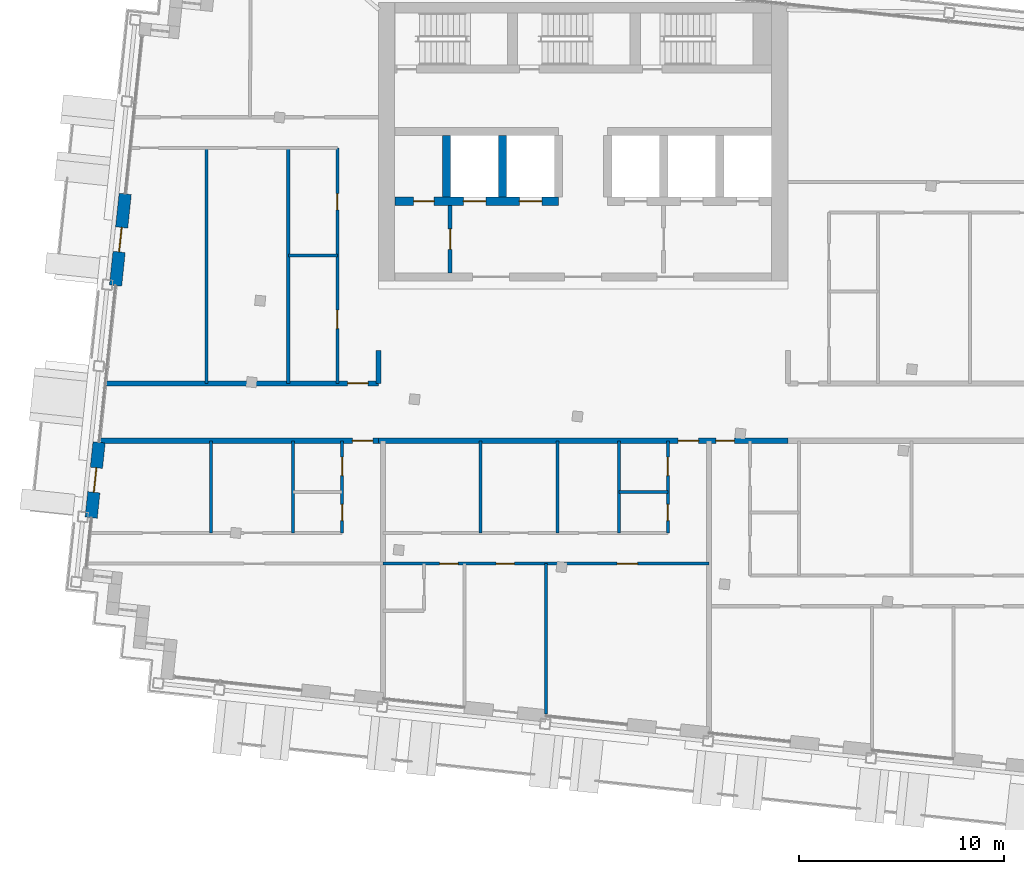
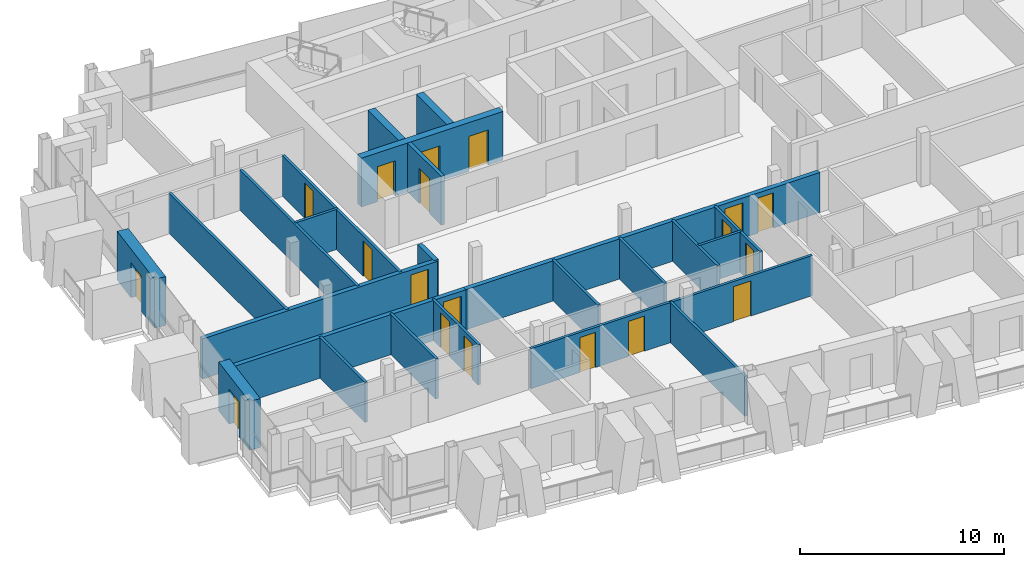
# One storey, part 9 of 16: 24 walls, 19 doors, 19 openings.
"""IFC4 building model written with IfcOpenShell, lengths in metres."""

from ifc_helpers import new_model, si_unit, direction, frame, frame_2d, origin, place, context, subcontext, project, spatial, rectangle, extrude, material, layer, layer_set, type_object, element, fill, save


model = new_model("IFC4")

# Units and contexts
model_context = context("Model", 3, precision=1e-05, world=origin(), true_north=direction((0.0, 1.0)))
body_context = subcontext(model_context, "Body", "Model", "MODEL_VIEW")
ifc_project = project(units=[si_unit("LENGTHUNIT", "METRE"), si_unit("AREAUNIT", "SQUARE_METRE"), si_unit("VOLUMEUNIT", "CUBIC_METRE"), si_unit("PLANEANGLEUNIT", "RADIAN"), si_unit("MASSUNIT", "GRAM", prefix="KILO")], contexts=[model_context])

# Site, building, storey
site_placement = place(None, origin())
site = spatial("IfcSite", under=ifc_project, at=site_placement, CompositionType="ELEMENT")
building_placement = place(site_placement, origin())
building = spatial("IfcBuilding", under=site, at=building_placement, Name="Vidyagriha Tower", CompositionType="ELEMENT")
storey_placement = place(building_placement, frame((0.0, 0.0, 275.5)))
storey = spatial("IfcBuildingStorey", under=building, at=storey_placement, Name="L72", CompositionType="ELEMENT", Elevation=275.5)

# Wall, opening, door
ifc_material_1 = material(Name="Precast concrete C40/50 with brick facing", Category="concrete")
ifc_layer_1 = layer(ifc_material_1, 0.60009765625)
ifc_layer_set_1 = layer_set([ifc_layer_1], Name="Precast concrete C40/50 with brick facing")
wall_type_1 = type_object("IfcWallType", Name="Brick-faced precast wall 600", PredefinedType="STANDARD", material=ifc_layer_set_1)
wall_1_placement = place(storey_placement, frame((-22.36279296875, 10.65673828125, 0.0), z_axis=(0.0, 0.0, 1.0), x_axis=(-0.104492739125, -0.994525649478, 0.0)))
wall_1 = element("IfcWall", 1, at=wall_1_placement, inside=storey, type_object=wall_type_1, Name="Brick door bay wall L72 R14.3", PredefinedType="STANDARD", context=body_context, shape_type="SweptSolid", body=[
    extrude(rectangle(XDim=4.5, YDim=0.60009765625, at=frame_2d((2.25, 0.0))), origin(), (0.0, 0.0, 1.0), 2.919921875),
])
opening_1_placement = place(wall_1_placement, frame((1.64990234375, 0.0, 0.0)))
opening_1 = element("IfcOpeningElement", 2, at=opening_1_placement, cuts=wall_1, Name="Opening D72-52", PredefinedType="OPENING", context=body_context, shape_type="SweptSolid", body=[
    extrude(rectangle(XDim=1.199951171875, YDim=2.10009765625, at=frame_2d((0.60009765625, 1.050048828125))), frame((0.0, 0.31005859375, 0.0), z_axis=(0.0, -1.0, 0.0), x_axis=(1.0, 0.0, 0.0)), (0.0, 0.0, 1.0), 0.6201171875),
])
ifc_material_2 = material(Name="Aluminium framed glazed sliding door", Category="aluminium")
door_type_1 = type_object("IfcDoorType", Name="Balcony sliding door 1200x2100", OperationType="NOTDEFINED", PredefinedType="DOOR", material=ifc_material_2)
door_1_placement = place(opening_1_placement, origin())
door_1 = element("IfcDoor", 3, at=door_1_placement, inside=storey, type_object=door_type_1, Name="Door D72-52", OperationType="SLIDING_TO_LEFT", OverallHeight=2.10009765625, OverallWidth=1.199951171875, PredefinedType="DOOR", context=body_context, shape_type="SweptSolid", body=[
    extrude(rectangle(XDim=1.199951171875, YDim=2.10009765625, at=frame_2d((0.60009765625, 1.050048828125))), frame((0.0, 0.02490234375, 0.0), z_axis=(0.0, -1.0, 0.0), x_axis=(1.0, 0.0, 0.0)), (0.0, 0.0, 1.0), 0.050048828125),
])
fill(opening_1, door_1)

wall_2_placement = place(storey_placement, frame((-23.637939453125, -1.476318359375, 0.0), z_axis=(0.0, 0.0, 1.0), x_axis=(-0.104513052986, -0.994523514933, 0.0)))
wall_2 = element("IfcWall", 4, at=wall_2_placement, inside=storey, type_object=wall_type_1, Name="Brick door bay wall L72 R14.6", PredefinedType="STANDARD", context=body_context, shape_type="SweptSolid", body=[
    extrude(rectangle(XDim=3.7001953125, YDim=0.60009765625, at=frame_2d((1.85009765625, 0.0))), origin(), (0.0, 0.0, 1.0), 2.919921875),
])
opening_2_placement = place(wall_2_placement, frame((1.25, 0.0, 0.0)))
opening_2 = element("IfcOpeningElement", 5, at=opening_2_placement, cuts=wall_2, Name="Opening D72-53", PredefinedType="OPENING", context=body_context, shape_type="SweptSolid", body=[
    extrude(rectangle(XDim=1.199951171875, YDim=2.10009765625, at=frame_2d((0.60009765625, 1.050048828125))), frame((0.0, 0.31005859375, 0.0), z_axis=(0.0, -1.0, 0.0), x_axis=(1.0, 0.0, 0.0)), (0.0, 0.0, 1.0), 0.6201171875),
])
door_2_placement = place(opening_2_placement, origin())
door_2 = element("IfcDoor", 6, at=door_2_placement, inside=storey, type_object=door_type_1, Name="Door D72-53", OperationType="SLIDING_TO_LEFT", OverallHeight=2.10009765625, OverallWidth=1.199951171875, PredefinedType="DOOR", context=body_context, shape_type="SweptSolid", body=[
    extrude(rectangle(XDim=1.199951171875, YDim=2.10009765625, at=frame_2d((0.60009765625, 1.050048828125))), frame((0.0, 0.02490234375, 0.0), z_axis=(0.0, -1.0, 0.0), x_axis=(1.0, 0.0, 0.0)), (0.0, 0.0, 1.0), 0.050048828125),
])
fill(opening_2, door_2)

# Wall, openings, doors
ifc_material_3 = material(Name="Concrete C60/75", Category="concrete")
ifc_layer_2 = layer(ifc_material_3, 0.39990234375)
ifc_layer_set_2 = layer_set([ifc_layer_2], Name="Concrete C60/75")
wall_type_2 = type_object("IfcWallType", Name="Core shear wall 400 mm", PredefinedType="SHEAR", material=ifc_layer_set_2)
wall_3_placement = place(storey_placement, frame((-9.199951171875, 10.300048828125, 0.0)))
wall_3 = element("IfcWall", 7, at=wall_3_placement, inside=storey, type_object=wall_type_2, Name="Core row N front wall", PredefinedType="SHEAR", context=body_context, shape_type="SweptSolid", body=[
    extrude(rectangle(XDim=8.0, YDim=0.39990234375, at=frame_2d((4.0, 0.0))), origin(), (0.0, 0.0, 1.0), 2.919921875),
])
opening_3_placement = place(wall_3_placement, frame((3.35009765625, 0.0, 0.0)))
opening_3 = element("IfcOpeningElement", 8, at=opening_3_placement, cuts=wall_3, Name="Opening LD72-01", PredefinedType="OPENING", context=body_context, shape_type="SweptSolid", body=[
    extrude(rectangle(XDim=1.10009765625, YDim=2.10009765625, at=frame_2d((0.550048828125, 1.050048828125))), frame((0.0, 0.2099609375, 0.0), z_axis=(0.0, -1.0, 0.0), x_axis=(1.0, 0.0, 0.0)), (0.0, 0.0, 1.0), 0.419921875),
])
opening_4_placement = place(wall_3_placement, frame((6.083251953125, 0.0, 0.0)))
opening_4 = element("IfcOpeningElement", 9, at=opening_4_placement, cuts=wall_3, Name="Opening LD72-02", PredefinedType="OPENING", context=body_context, shape_type="SweptSolid", body=[
    extrude(rectangle(XDim=1.10009765625, YDim=2.10009765625, at=frame_2d((0.550048828125, 1.050048828125))), frame((0.0, 0.2099609375, 0.0), z_axis=(0.0, -1.0, 0.0), x_axis=(1.0, 0.0, 0.0)), (0.0, 0.0, 1.0), 0.419921875),
])
opening_5_placement = place(wall_3_placement, frame((0.916748046875, 0.0, 0.0)))
opening_5 = element("IfcOpeningElement", 10, at=opening_5_placement, cuts=wall_3, Name="Opening D72-04", PredefinedType="OPENING", context=body_context, shape_type="SweptSolid", body=[
    extrude(rectangle(XDim=1.0, YDim=2.10009765625, at=frame_2d((0.5, 1.050048828125))), frame((0.0, 0.2099609375, 0.0), z_axis=(0.0, -1.0, 0.0), x_axis=(1.0, 0.0, 0.0)), (0.0, 0.0, 1.0), 0.419921875),
])
ifc_material_4 = material(Name="Hollow metal door leaf")
door_type_2 = type_object("IfcDoorType", Name="Core room door 1000 x 2100 mm EI 60", OperationType="NOTDEFINED", PredefinedType="DOOR", material=ifc_material_4)
door_3_placement = place(opening_5_placement, frame((1.0, 0.0, 0.0), z_axis=(0.0, 0.0, 1.0), x_axis=(-1.0, 0.0, 0.0)))
door_3 = element("IfcDoor", 11, at=door_3_placement, inside=storey, type_object=door_type_2, Name="Door Storage Room 72.14", OperationType="SINGLE_SWING_RIGHT", OverallHeight=2.10009765625, OverallWidth=1.0, PredefinedType="DOOR", context=body_context, shape_type="SweptSolid", body=[
    extrude(rectangle(XDim=1.0, YDim=2.10009765625, at=frame_2d((0.5, 1.050048828125))), frame((0.0, 0.02490234375, 0.0), z_axis=(0.0, -1.0, 0.0), x_axis=(1.0, 0.0, 0.0)), (0.0, 0.0, 1.0), 0.050048828125),
])
fill(opening_5, door_3)
ifc_material_5 = material(Name="Stainless steel sliding door panel", Category="steel")
door_type_3 = type_object("IfcDoorType", Name="Lift landing door 1100 x 2100 mm EI 90", OperationType="NOTDEFINED", PredefinedType="DOOR", material=ifc_material_5)
door_4_placement = place(opening_3_placement, origin())
door_4 = element("IfcDoor", 12, at=door_4_placement, inside=storey, type_object=door_type_3, Name="Landing door HR1 L72", OperationType="SLIDING_TO_LEFT", OverallHeight=2.10009765625, OverallWidth=1.10009765625, PredefinedType="DOOR", context=body_context, shape_type="SweptSolid", body=[
    extrude(rectangle(XDim=1.10009765625, YDim=2.10009765625, at=frame_2d((0.550048828125, 1.050048828125))), frame((0.0, 0.02490234375, 0.0), z_axis=(0.0, -1.0, 0.0), x_axis=(1.0, 0.0, 0.0)), (0.0, 0.0, 1.0), 0.050048828125),
])
fill(opening_3, door_4)
door_5_placement = place(opening_4_placement, origin())
door_5 = element("IfcDoor", 13, at=door_5_placement, inside=storey, type_object=door_type_3, Name="Landing door HR2 L72", OperationType="SLIDING_TO_LEFT", OverallHeight=2.10009765625, OverallWidth=1.10009765625, PredefinedType="DOOR", context=body_context, shape_type="SweptSolid", body=[
    extrude(rectangle(XDim=1.10009765625, YDim=2.10009765625, at=frame_2d((0.550048828125, 1.050048828125))), frame((0.0, 0.02490234375, 0.0), z_axis=(0.0, -1.0, 0.0), x_axis=(1.0, 0.0, 0.0)), (0.0, 0.0, 1.0), 0.050048828125),
])
fill(opening_4, door_5)

# Walls
for number, where, z_axis, x_axis, name in (
    (14, (-6.666748046875, 10.5, 0.0), (0.0, 0.0, 1.0), (0.0, 1.0, 0.0), "Core bay wall N1"),
    (15, (-3.933349609375, 10.5, 0.0), (0.0, 0.0, 1.0), (0.0, 1.0, 0.0), "Core bay wall N2"),
):
    element("IfcWall", number, at=place(storey_placement, frame(where, z_axis=z_axis, x_axis=x_axis)), inside=storey, type_object=wall_type_2, Name=name, PredefinedType="SHEAR", context=body_context, shape_type="SweptSolid", body=[
        extrude(rectangle(XDim=3.0, YDim=0.39990234375, at=frame_2d((1.5, 0.0))), origin(), (0.0, 0.0, 1.0), 2.919921875),
    ])

# Wall, opening, door
ifc_material_6 = material(Name="Fired clay brick masonry", Category="masonry")
ifc_layer_3 = layer(ifc_material_6, 0.25)
ifc_layer_set_3 = layer_set([ifc_layer_3], Name="Fired clay brick masonry")
wall_type_3 = type_object("IfcWallType", Name="Fired clay brick corridor wall 250", PredefinedType="PARTITIONING", material=ifc_layer_set_3)
wall_4_placement = place(storey_placement, frame((-10.0, -1.39990234375, 0.0), z_axis=(0.0, 0.0, 1.0), x_axis=(-1.0, 0.0, 0.0)))
wall_4 = element("IfcWall", 16, at=wall_4_placement, inside=storey, type_object=wall_type_3, Name="Wall all-L72-w056", PredefinedType="PARTITIONING", context=body_context, shape_type="SweptSolid", body=[
    extrude(rectangle(XDim=13.5595703125, YDim=0.25, at=frame_2d((6.77978515625, 0.0))), origin(), (0.0, 0.0, 1.0), 2.39990234375),
])
opening_6_placement = place(wall_4_placement, frame((0.27001953125, 0.0, 0.0)))
opening_6 = element("IfcOpeningElement", 17, at=opening_6_placement, cuts=wall_4, Name="Opening D72-15", PredefinedType="OPENING", context=body_context, shape_type="SweptSolid", body=[
    extrude(rectangle(XDim=1.0, YDim=2.10009765625, at=frame_2d((0.5, 1.050048828125))), frame((0.0, 0.135009765625, 0.0), z_axis=(0.0, -1.0, 0.0), x_axis=(1.0, 0.0, 0.0)), (0.0, 0.0, 1.0), 0.27001953125),
])
ifc_material_7 = material(Name="Fire-rated timber door leaf EI 60", Category="wood")
door_type_4 = type_object("IfcDoorType", Name="Flat entrance fire door 1000x2100", OperationType="NOTDEFINED", PredefinedType="DOOR", material=ifc_material_7)
door_6_placement = place(opening_6_placement, origin())
door_6 = element("IfcDoor", 18, at=door_6_placement, inside=storey, type_object=door_type_4, Name="Door D72-15", OperationType="SINGLE_SWING_LEFT", OverallHeight=2.10009765625, OverallWidth=1.0, PredefinedType="DOOR", context=body_context, shape_type="SweptSolid", body=[
    extrude(rectangle(XDim=1.0, YDim=2.10009765625, at=frame_2d((0.5, 1.050048828125))), frame((0.0, 0.02490234375, 0.0), z_axis=(0.0, -1.0, 0.0), x_axis=(1.0, 0.0, 0.0)), (0.0, 0.0, 1.0), 0.050048828125),
])
fill(opening_6, door_6)

wall_5_placement = place(storey_placement, frame((-23.26513671875, 1.39990234375, 0.0)))
wall_5 = element("IfcWall", 19, at=wall_5_placement, inside=storey, type_object=wall_type_3, Name="Wall all-L72-w073", PredefinedType="PARTITIONING", context=body_context, shape_type="SweptSolid", body=[
    extrude(rectangle(XDim=13.26513671875, YDim=0.25, at=frame_2d((6.632568359375, 0.0))), origin(), (0.0, 0.0, 1.0), 2.39990234375),
])
opening_7_placement = place(wall_5_placement, frame((11.76513671875, 0.0, 0.0)))
opening_7 = element("IfcOpeningElement", 20, at=opening_7_placement, cuts=wall_5, Name="Opening D72-42", PredefinedType="OPENING", context=body_context, shape_type="SweptSolid", body=[
    extrude(rectangle(XDim=1.0, YDim=2.10009765625, at=frame_2d((0.5, 1.050048828125))), frame((0.0, 0.135009765625, 0.0), z_axis=(0.0, -1.0, 0.0), x_axis=(1.0, 0.0, 0.0)), (0.0, 0.0, 1.0), 0.27001953125),
])
door_7_placement = place(opening_7_placement, origin())
door_7 = element("IfcDoor", 21, at=door_7_placement, inside=storey, type_object=door_type_4, Name="Door D72-42", OperationType="SINGLE_SWING_RIGHT", OverallHeight=2.10009765625, OverallWidth=1.0, PredefinedType="DOOR", context=body_context, shape_type="SweptSolid", body=[
    extrude(rectangle(XDim=1.0, YDim=2.10009765625, at=frame_2d((0.5, 1.050048828125))), frame((0.0, 0.02490234375, 0.0), z_axis=(0.0, -1.0, 0.0), x_axis=(1.0, 0.0, 0.0)), (0.0, 0.0, 1.0), 0.050048828125),
])
fill(opening_7, door_7)

# Wall, openings, doors
wall_6_placement = place(storey_placement, frame((10.0, -1.39990234375, 0.0), z_axis=(0.0, 0.0, 1.0), x_axis=(-1.0, 0.0, 0.0)))
wall_6 = element("IfcWall", 22, at=wall_6_placement, inside=storey, type_object=wall_type_3, Name="Wall all-L72-w094", PredefinedType="PARTITIONING", context=body_context, shape_type="SweptSolid", body=[
    extrude(rectangle(XDim=20.0, YDim=0.25, at=frame_2d((10.0, 0.0))), origin(), (0.0, 0.0, 1.0), 2.39990234375),
])
opening_8_placement = place(wall_6_placement, frame((4.35791015625, 0.0, 0.0)))
opening_8 = element("IfcOpeningElement", 23, at=opening_8_placement, cuts=wall_6, Name="Opening D72-25", PredefinedType="OPENING", context=body_context, shape_type="SweptSolid", body=[
    extrude(rectangle(XDim=1.0, YDim=2.10009765625, at=frame_2d((0.5, 1.050048828125))), frame((0.0, 0.135009765625, 0.0), z_axis=(0.0, -1.0, 0.0), x_axis=(1.0, 0.0, 0.0)), (0.0, 0.0, 1.0), 0.27001953125),
])
opening_9_placement = place(wall_6_placement, frame((2.614013671875, 0.0, 0.0)))
opening_9 = element("IfcOpeningElement", 24, at=opening_9_placement, cuts=wall_6, Name="Opening D72-35", PredefinedType="OPENING", context=body_context, shape_type="SweptSolid", body=[
    extrude(rectangle(XDim=0.89990234375, YDim=2.10009765625, at=frame_2d((0.449951171875, 1.050048828125))), frame((0.0, 0.135009765625, 0.0), z_axis=(0.0, -1.0, 0.0), x_axis=(1.0, 0.0, 0.0)), (0.0, 0.0, 1.0), 0.27001953125),
])
door_8_placement = place(opening_8_placement, origin())
door_8 = element("IfcDoor", 25, at=door_8_placement, inside=storey, type_object=door_type_4, Name="Door D72-25", OperationType="SINGLE_SWING_LEFT", OverallHeight=2.10009765625, OverallWidth=1.0, PredefinedType="DOOR", context=body_context, shape_type="SweptSolid", body=[
    extrude(rectangle(XDim=1.0, YDim=2.10009765625, at=frame_2d((0.5, 1.050048828125))), frame((0.0, 0.02490234375, 0.0), z_axis=(0.0, -1.0, 0.0), x_axis=(1.0, 0.0, 0.0)), (0.0, 0.0, 1.0), 0.050048828125),
])
fill(opening_8, door_8)
ifc_material_8 = material(Name="Fire-rated timber door leaf EI 60", Category="wood")
door_type_5 = type_object("IfcDoorType", Name="Flat entrance fire door 900x2100", OperationType="NOTDEFINED", PredefinedType="DOOR", material=ifc_material_8)
door_9_placement = place(opening_9_placement, origin())
door_9 = element("IfcDoor", 26, at=door_9_placement, inside=storey, type_object=door_type_5, Name="Door D72-35", OperationType="SINGLE_SWING_RIGHT", OverallHeight=2.10009765625, OverallWidth=0.89990234375, PredefinedType="DOOR", context=body_context, shape_type="SweptSolid", body=[
    extrude(rectangle(XDim=0.89990234375, YDim=2.10009765625, at=frame_2d((0.449951171875, 1.050048828125))), frame((0.0, 0.02490234375, 0.0), z_axis=(0.0, -1.0, 0.0), x_axis=(1.0, 0.0, 0.0)), (0.0, 0.0, 1.0), 0.050048828125),
])
fill(opening_9, door_9)

# Walls
wall_7_placement = place(storey_placement, frame((-10.0, 3.0, 0.0), z_axis=(0.0, 0.0, 1.0), x_axis=(0.0, -1.0, 0.0)))
element("IfcWall", 27, at=wall_7_placement, inside=storey, type_object=wall_type_3, Name="Wall all-L72-w095", PredefinedType="PARTITIONING", context=body_context, shape_type="SweptSolid", body=[
    extrude(rectangle(XDim=1.60009765625, YDim=0.25, at=frame_2d((0.800048828125, 0.0))), origin(), (0.0, 0.0, 1.0), 2.39990234375),
])
ifc_material_9 = material(Name="Gypsum board partition")
ifc_layer_4 = layer(ifc_material_9, 0.14990234375)
ifc_layer_set_4 = layer_set([ifc_layer_4], Name="Gypsum board partition")
wall_type_4 = type_object("IfcWallType", Name="Gypsum board partition 150", PredefinedType="PARTITIONING", material=ifc_layer_set_4)
for number, where, z_axis, x_axis, name in (
    (28, (-14.169921875, -5.89990234375, 0.0), (0.0, 0.0, 1.0), (0.0, 1.0, 0.0), "Wall all-L72-w005"),
    (29, (-18.169921875, -5.89990234375, 0.0), (0.0, 0.0, 1.0), (0.0, 1.0, 0.0), "Wall all-L72-w006"),
):
    element("IfcWall", number, at=place(storey_placement, frame(where, z_axis=z_axis, x_axis=x_axis)), inside=storey, type_object=wall_type_4, Name=name, PredefinedType="PARTITIONING", context=body_context, shape_type="SweptSolid", body=[
        extrude(rectangle(XDim=4.5, YDim=0.14990234375, at=frame_2d((2.25, 0.0))), origin(), (0.0, 0.0, 1.0), 2.39990234375),
    ])
wall_8_placement = place(storey_placement, frame((4.14208984375, -3.89990234375, 0.0), z_axis=(0.0, 0.0, 1.0), x_axis=(-1.0, 0.0, 0.0)))
element("IfcWall", 30, at=wall_8_placement, inside=storey, type_object=wall_type_4, Name="Wall all-L72-w016", PredefinedType="PARTITIONING", context=body_context, shape_type="SweptSolid", body=[
    extrude(rectangle(XDim=2.400146484375, YDim=0.14990234375, at=frame_2d((1.2001953125, 0.0))), origin(), (0.0, 0.0, 1.0), 2.39990234375),
])
for number, where, z_axis, x_axis, name in (
    (31, (1.741943359375, -5.89990234375, 0.0), (0.0, 0.0, 1.0), (0.0, 1.0, 0.0), "Wall all-L72-w017"),
    (32, (-1.258056640625, -5.89990234375, 0.0), (0.0, 0.0, 1.0), (0.0, 1.0, 0.0), "Wall all-L72-w018"),
    (33, (-5.008056640625, -5.89990234375, 0.0), (0.0, 0.0, 1.0), (0.0, 1.0, 0.0), "Wall all-L72-w019"),
):
    element("IfcWall", number, at=place(storey_placement, frame(where, z_axis=z_axis, x_axis=x_axis)), inside=storey, type_object=wall_type_4, Name=name, PredefinedType="PARTITIONING", context=body_context, shape_type="SweptSolid", body=[
        extrude(rectangle(XDim=4.5, YDim=0.14990234375, at=frame_2d((2.25, 0.0))), origin(), (0.0, 0.0, 1.0), 2.39990234375),
    ])

# Wall, openings, doors
wall_9_placement = place(storey_placement, frame((6.14208984375, -7.39990234375, 0.0), z_axis=(0.0, 0.0, 1.0), x_axis=(-1.0, 0.0, 0.0)))
wall_9 = element("IfcWall", 34, at=wall_9_placement, inside=storey, type_object=wall_type_4, Name="Wall all-L72-w024", PredefinedType="PARTITIONING", context=body_context, shape_type="SweptSolid", body=[
    extrude(rectangle(XDim=15.912109375, YDim=0.14990234375, at=frame_2d((7.9560546875, 0.0))), origin(), (0.0, 0.0, 1.0), 2.39990234375),
])
opening_10_placement = place(wall_9_placement, frame((12.251953125, 0.0, 0.0)))
opening_10 = element("IfcOpeningElement", 35, at=opening_10_placement, cuts=wall_9, Name="Opening D72-21", PredefinedType="OPENING", context=body_context, shape_type="SweptSolid", body=[
    extrude(rectangle(XDim=0.89990234375, YDim=2.10009765625, at=frame_2d((0.449951171875, 1.050048828125))), frame((0.0, 0.0849609375, 0.0), z_axis=(0.0, -1.0, 0.0), x_axis=(1.0, 0.0, 0.0)), (0.0, 0.0, 1.0), 0.169921875),
])
opening_11_placement = place(wall_9_placement, frame((9.495361328125, 0.0, 0.0)))
opening_11 = element("IfcOpeningElement", 36, at=opening_11_placement, cuts=wall_9, Name="Opening D72-22", PredefinedType="OPENING", context=body_context, shape_type="SweptSolid", body=[
    extrude(rectangle(XDim=0.89990234375, YDim=2.10009765625, at=frame_2d((0.449951171875, 1.050048828125))), frame((0.0, 0.0849609375, 0.0), z_axis=(0.0, -1.0, 0.0), x_axis=(1.0, 0.0, 0.0)), (0.0, 0.0, 1.0), 0.169921875),
])
opening_12_placement = place(wall_9_placement, frame((3.478271484375, 0.0, 0.0)))
opening_12 = element("IfcOpeningElement", 37, at=opening_12_placement, cuts=wall_9, Name="Opening D72-23", PredefinedType="OPENING", context=body_context, shape_type="SweptSolid", body=[
    extrude(rectangle(XDim=1.0, YDim=2.10009765625, at=frame_2d((0.5, 1.050048828125))), frame((0.0, 0.0849609375, 0.0), z_axis=(0.0, -1.0, 0.0), x_axis=(1.0, 0.0, 0.0)), (0.0, 0.0, 1.0), 0.169921875),
])
ifc_material_10 = material(Name="Timber door leaf", Category="wood")
door_type_6 = type_object("IfcDoorType", Name="Room door 1000x2100", OperationType="NOTDEFINED", PredefinedType="DOOR", material=ifc_material_10)
door_10_placement = place(opening_12_placement, origin())
door_10 = element("IfcDoor", 38, at=door_10_placement, inside=storey, type_object=door_type_6, Name="Door D72-23", OperationType="SINGLE_SWING_RIGHT", OverallHeight=2.10009765625, OverallWidth=1.0, PredefinedType="DOOR", context=body_context, shape_type="SweptSolid", body=[
    extrude(rectangle(XDim=1.0, YDim=2.10009765625, at=frame_2d((0.5, 1.050048828125))), frame((0.0, 0.02490234375, 0.0), z_axis=(0.0, -1.0, 0.0), x_axis=(1.0, 0.0, 0.0)), (0.0, 0.0, 1.0), 0.050048828125),
])
fill(opening_12, door_10)
ifc_material_11 = material(Name="Timber door leaf", Category="wood")
door_type_7 = type_object("IfcDoorType", Name="Room door 900x2100", OperationType="NOTDEFINED", PredefinedType="DOOR", material=ifc_material_11)
door_11_placement = place(opening_10_placement, origin())
door_11 = element("IfcDoor", 39, at=door_11_placement, inside=storey, type_object=door_type_7, Name="Door D72-21", OperationType="SINGLE_SWING_LEFT", OverallHeight=2.10009765625, OverallWidth=0.89990234375, PredefinedType="DOOR", context=body_context, shape_type="SweptSolid", body=[
    extrude(rectangle(XDim=0.89990234375, YDim=2.10009765625, at=frame_2d((0.449951171875, 1.050048828125))), frame((0.0, 0.02490234375, 0.0), z_axis=(0.0, -1.0, 0.0), x_axis=(1.0, 0.0, 0.0)), (0.0, 0.0, 1.0), 0.050048828125),
])
fill(opening_10, door_11)
door_12_placement = place(opening_11_placement, origin())
door_12 = element("IfcDoor", 40, at=door_12_placement, inside=storey, type_object=door_type_7, Name="Door D72-22", OperationType="SINGLE_SWING_RIGHT", OverallHeight=2.10009765625, OverallWidth=0.89990234375, PredefinedType="DOOR", context=body_context, shape_type="SweptSolid", body=[
    extrude(rectangle(XDim=0.89990234375, YDim=2.10009765625, at=frame_2d((0.449951171875, 1.050048828125))), frame((0.0, 0.02490234375, 0.0), z_axis=(0.0, -1.0, 0.0), x_axis=(1.0, 0.0, 0.0)), (0.0, 0.0, 1.0), 0.050048828125),
])
fill(opening_11, door_12)

# Walls
wall_10_placement = place(storey_placement, frame((-1.814208984375, -7.39990234375, 0.0), z_axis=(0.0, 0.0, 1.0), x_axis=(0.0, -1.0, 0.0)))
element("IfcWall", 41, at=wall_10_placement, inside=storey, type_object=wall_type_4, Name="Wall all-L72-w029", PredefinedType="PARTITIONING", context=body_context, shape_type="SweptSolid", body=[
    extrude(rectangle(XDim=7.340576171875, YDim=0.14990234375, at=frame_2d((3.67041015625, 0.0))), origin(), (0.0, 0.0, 1.0), 2.39990234375),
])
wall_11_placement = place(storey_placement, frame((-14.39990234375, 7.64990234375, 0.0)))
element("IfcWall", 42, at=wall_11_placement, inside=storey, type_object=wall_type_4, Name="Wall all-L72-w062", PredefinedType="PARTITIONING", context=body_context, shape_type="SweptSolid", body=[
    extrude(rectangle(XDim=2.39990234375, YDim=0.14990234375, at=frame_2d((1.199951171875, 0.0))), origin(), (0.0, 0.0, 1.0), 2.39990234375),
])
for number, where, z_axis, x_axis, name in (
    (43, (-14.39990234375, 1.39990234375, 0.0), (0.0, 0.0, 1.0), (0.0, 1.0, 0.0), "Wall all-L72-w063"),
    (44, (-18.39990234375, 1.39990234375, 0.0), (0.0, 0.0, 1.0), (0.0, 1.0, 0.0), "Wall all-L72-w064"),
):
    element("IfcWall", number, at=place(storey_placement, frame(where, z_axis=z_axis, x_axis=x_axis)), inside=storey, type_object=wall_type_4, Name=name, PredefinedType="PARTITIONING", context=body_context, shape_type="SweptSolid", body=[
        extrude(rectangle(XDim=11.5, YDim=0.14990234375, at=frame_2d((5.75, 0.0))), origin(), (0.0, 0.0, 1.0), 2.39990234375),
    ])

# Wall, openings, doors
ifc_material_12 = material(Name="Moisture resistant gypsum board partition")
ifc_layer_5 = layer(ifc_material_12, 0.14990234375)
ifc_layer_set_5 = layer_set([ifc_layer_5], Name="Moisture resistant gypsum board partition")
wall_type_5 = type_object("IfcWallType", Name="Gypsum board wet-area partition 150", PredefinedType="PARTITIONING", material=ifc_layer_set_5)
wall_12_placement = place(storey_placement, frame((-11.77001953125, -5.89990234375, 0.0), z_axis=(0.0, 0.0, 1.0), x_axis=(0.0, 1.0, 0.0)))
wall_12 = element("IfcWall", 45, at=wall_12_placement, inside=storey, type_object=wall_type_5, Name="Wall all-L72-w001", PredefinedType="PARTITIONING", context=body_context, shape_type="SweptSolid", body=[
    extrude(rectangle(XDim=4.5, YDim=0.14990234375, at=frame_2d((2.25, 0.0))), origin(), (0.0, 0.0, 1.0), 2.39990234375),
])
opening_13_placement = place(wall_12_placement, frame((2.800048828125, 0.0, 0.0)))
opening_13 = element("IfcOpeningElement", 46, at=opening_13_placement, cuts=wall_12, Name="Opening D72-10", PredefinedType="OPENING", context=body_context, shape_type="SweptSolid", body=[
    extrude(rectangle(XDim=0.89990234375, YDim=2.10009765625, at=frame_2d((0.449951171875, 1.050048828125))), frame((0.0, 0.0849609375, 0.0), z_axis=(0.0, -1.0, 0.0), x_axis=(1.0, 0.0, 0.0)), (0.0, 0.0, 1.0), 0.169921875),
])
opening_14_placement = place(wall_12_placement, frame((0.60009765625, 0.0, 0.0)))
opening_14 = element("IfcOpeningElement", 47, at=opening_14_placement, cuts=wall_12, Name="Opening D72-11", PredefinedType="OPENING", context=body_context, shape_type="SweptSolid", body=[
    extrude(rectangle(XDim=0.800048828125, YDim=2.10009765625, at=frame_2d((0.39990234375, 1.050048828125))), frame((0.0, 0.0849609375, 0.0), z_axis=(0.0, -1.0, 0.0), x_axis=(1.0, 0.0, 0.0)), (0.0, 0.0, 1.0), 0.169921875),
])
ifc_material_13 = material(Name="Timber door leaf", Category="wood")
door_type_8 = type_object("IfcDoorType", Name="Bathroom door 800x2100", OperationType="NOTDEFINED", PredefinedType="DOOR", material=ifc_material_13)
door_13_placement = place(opening_14_placement, origin())
door_13 = element("IfcDoor", 48, at=door_13_placement, inside=storey, type_object=door_type_8, Name="Door D72-11", OperationType="SINGLE_SWING_LEFT", OverallHeight=2.10009765625, OverallWidth=0.800048828125, PredefinedType="DOOR", context=body_context, shape_type="SweptSolid", body=[
    extrude(rectangle(XDim=0.800048828125, YDim=2.10009765625, at=frame_2d((0.39990234375, 1.050048828125))), frame((0.0, 0.02490234375, 0.0), z_axis=(0.0, -1.0, 0.0), x_axis=(1.0, 0.0, 0.0)), (0.0, 0.0, 1.0), 0.050048828125),
])
fill(opening_14, door_13)
ifc_material_14 = material(Name="Timber door leaf", Category="wood")
door_type_9 = type_object("IfcDoorType", Name="Kitchen door 900x2100", OperationType="NOTDEFINED", PredefinedType="DOOR", material=ifc_material_14)
door_14_placement = place(opening_13_placement, origin())
door_14 = element("IfcDoor", 49, at=door_14_placement, inside=storey, type_object=door_type_9, Name="Door D72-10", OperationType="SINGLE_SWING_RIGHT", OverallHeight=2.10009765625, OverallWidth=0.89990234375, PredefinedType="DOOR", context=body_context, shape_type="SweptSolid", body=[
    extrude(rectangle(XDim=0.89990234375, YDim=2.10009765625, at=frame_2d((0.449951171875, 1.050048828125))), frame((0.0, 0.02490234375, 0.0), z_axis=(0.0, -1.0, 0.0), x_axis=(1.0, 0.0, 0.0)), (0.0, 0.0, 1.0), 0.050048828125),
])
fill(opening_13, door_14)

wall_13_placement = place(storey_placement, frame((4.14208984375, -5.89990234375, 0.0), z_axis=(0.0, 0.0, 1.0), x_axis=(0.0, 1.0, 0.0)))
wall_13 = element("IfcWall", 50, at=wall_13_placement, inside=storey, type_object=wall_type_5, Name="Wall all-L72-w013", PredefinedType="PARTITIONING", context=body_context, shape_type="SweptSolid", body=[
    extrude(rectangle(XDim=4.5, YDim=0.14990234375, at=frame_2d((2.25, 0.0))), origin(), (0.0, 0.0, 1.0), 2.39990234375),
])
opening_15_placement = place(wall_13_placement, frame((2.800048828125, 0.0, 0.0)))
opening_15 = element("IfcOpeningElement", 51, at=opening_15_placement, cuts=wall_13, Name="Opening D72-16", PredefinedType="OPENING", context=body_context, shape_type="SweptSolid", body=[
    extrude(rectangle(XDim=0.89990234375, YDim=2.10009765625, at=frame_2d((0.449951171875, 1.050048828125))), frame((0.0, 0.0849609375, 0.0), z_axis=(0.0, -1.0, 0.0), x_axis=(1.0, 0.0, 0.0)), (0.0, 0.0, 1.0), 0.169921875),
])
opening_16_placement = place(wall_13_placement, frame((0.60009765625, 0.0, 0.0)))
opening_16 = element("IfcOpeningElement", 52, at=opening_16_placement, cuts=wall_13, Name="Opening D72-17", PredefinedType="OPENING", context=body_context, shape_type="SweptSolid", body=[
    extrude(rectangle(XDim=0.800048828125, YDim=2.10009765625, at=frame_2d((0.39990234375, 1.050048828125))), frame((0.0, 0.0849609375, 0.0), z_axis=(0.0, -1.0, 0.0), x_axis=(1.0, 0.0, 0.0)), (0.0, 0.0, 1.0), 0.169921875),
])
door_15_placement = place(opening_16_placement, origin())
door_15 = element("IfcDoor", 53, at=door_15_placement, inside=storey, type_object=door_type_8, Name="Door D72-17", OperationType="SINGLE_SWING_LEFT", OverallHeight=2.10009765625, OverallWidth=0.800048828125, PredefinedType="DOOR", context=body_context, shape_type="SweptSolid", body=[
    extrude(rectangle(XDim=0.800048828125, YDim=2.10009765625, at=frame_2d((0.39990234375, 1.050048828125))), frame((0.0, 0.02490234375, 0.0), z_axis=(0.0, -1.0, 0.0), x_axis=(1.0, 0.0, 0.0)), (0.0, 0.0, 1.0), 0.050048828125),
])
fill(opening_16, door_15)
door_16_placement = place(opening_15_placement, origin())
door_16 = element("IfcDoor", 54, at=door_16_placement, inside=storey, type_object=door_type_9, Name="Door D72-16", OperationType="SINGLE_SWING_RIGHT", OverallHeight=2.10009765625, OverallWidth=0.89990234375, PredefinedType="DOOR", context=body_context, shape_type="SweptSolid", body=[
    extrude(rectangle(XDim=0.89990234375, YDim=2.10009765625, at=frame_2d((0.449951171875, 1.050048828125))), frame((0.0, 0.02490234375, 0.0), z_axis=(0.0, -1.0, 0.0), x_axis=(1.0, 0.0, 0.0)), (0.0, 0.0, 1.0), 0.050048828125),
])
fill(opening_15, door_16)

wall_14_placement = place(storey_placement, frame((-12.0, 1.39990234375, 0.0), z_axis=(0.0, 0.0, 1.0), x_axis=(0.0, 1.0, 0.0)))
wall_14 = element("IfcWall", 55, at=wall_14_placement, inside=storey, type_object=wall_type_5, Name="Wall all-L72-w059", PredefinedType="PARTITIONING", context=body_context, shape_type="SweptSolid", body=[
    extrude(rectangle(XDim=11.5, YDim=0.14990234375, at=frame_2d((5.75, 0.0))), origin(), (0.0, 0.0, 1.0), 2.39990234375),
])
opening_17_placement = place(wall_14_placement, frame((2.675048828125, 0.0, 0.0)))
opening_17 = element("IfcOpeningElement", 56, at=opening_17_placement, cuts=wall_14, Name="Opening D72-36", PredefinedType="OPENING", context=body_context, shape_type="SweptSolid", body=[
    extrude(rectangle(XDim=0.89990234375, YDim=2.10009765625, at=frame_2d((0.449951171875, 1.050048828125))), frame((0.0, 0.0849609375, 0.0), z_axis=(0.0, -1.0, 0.0), x_axis=(1.0, 0.0, 0.0)), (0.0, 0.0, 1.0), 0.169921875),
])
opening_18_placement = place(wall_14_placement, frame((8.47509765625, 0.0, 0.0)))
opening_18 = element("IfcOpeningElement", 57, at=opening_18_placement, cuts=wall_14, Name="Opening D72-37", PredefinedType="OPENING", context=body_context, shape_type="SweptSolid", body=[
    extrude(rectangle(XDim=0.800048828125, YDim=2.10009765625, at=frame_2d((0.39990234375, 1.050048828125))), frame((0.0, 0.0849609375, 0.0), z_axis=(0.0, -1.0, 0.0), x_axis=(1.0, 0.0, 0.0)), (0.0, 0.0, 1.0), 0.169921875),
])
door_17_placement = place(opening_18_placement, origin())
door_17 = element("IfcDoor", 58, at=door_17_placement, inside=storey, type_object=door_type_8, Name="Door D72-37", OperationType="SINGLE_SWING_RIGHT", OverallHeight=2.10009765625, OverallWidth=0.800048828125, PredefinedType="DOOR", context=body_context, shape_type="SweptSolid", body=[
    extrude(rectangle(XDim=0.800048828125, YDim=2.10009765625, at=frame_2d((0.39990234375, 1.050048828125))), frame((0.0, 0.02490234375, 0.0), z_axis=(0.0, -1.0, 0.0), x_axis=(1.0, 0.0, 0.0)), (0.0, 0.0, 1.0), 0.050048828125),
])
fill(opening_18, door_17)
door_18_placement = place(opening_17_placement, origin())
door_18 = element("IfcDoor", 59, at=door_18_placement, inside=storey, type_object=door_type_9, Name="Door D72-36", OperationType="SINGLE_SWING_RIGHT", OverallHeight=2.10009765625, OverallWidth=0.89990234375, PredefinedType="DOOR", context=body_context, shape_type="SweptSolid", body=[
    extrude(rectangle(XDim=0.89990234375, YDim=2.10009765625, at=frame_2d((0.449951171875, 1.050048828125))), frame((0.0, 0.02490234375, 0.0), z_axis=(0.0, -1.0, 0.0), x_axis=(1.0, 0.0, 0.0)), (0.0, 0.0, 1.0), 0.050048828125),
])
fill(opening_17, door_18)

# Wall, opening, door
ifc_material_15 = material(Name="Blockwork 15 MPa", Category="masonry")
ifc_layer_6 = layer(ifc_material_15, 0.199951171875)
ifc_layer_set_6 = layer_set([ifc_layer_6], Name="Blockwork 15 MPa")
wall_type_6 = type_object("IfcWallType", Name="Service room partition 200 mm", PredefinedType="PARTITIONING", material=ifc_layer_set_6)
wall_15_placement = place(storey_placement, frame((-6.5, 6.800048828125, 0.0), z_axis=(0.0, 0.0, 1.0), x_axis=(0.0, 1.0, 0.0)))
wall_15 = element("IfcWall", 60, at=wall_15_placement, inside=storey, type_object=wall_type_6, Name="Core room partition W", PredefinedType="PARTITIONING", context=body_context, shape_type="SweptSolid", body=[
    extrude(rectangle(XDim=3.300048828125, YDim=0.199951171875, at=frame_2d((1.64990234375, 0.0))), origin(), (0.0, 0.0, 1.0), 2.919921875),
])
opening_19_placement = place(wall_15_placement, frame((1.14990234375, 0.0, 0.0)))
opening_19 = element("IfcOpeningElement", 61, at=opening_19_placement, cuts=wall_15, Name="Opening D72-09", PredefinedType="OPENING", context=body_context, shape_type="SweptSolid", body=[
    extrude(rectangle(XDim=1.0, YDim=2.10009765625, at=frame_2d((0.5, 1.050048828125))), frame((0.0, 0.10986328125, 0.0), z_axis=(0.0, -1.0, 0.0), x_axis=(1.0, 0.0, 0.0)), (0.0, 0.0, 1.0), 0.219970703125),
])
door_19_placement = place(opening_19_placement, origin())
door_19 = element("IfcDoor", 62, at=door_19_placement, inside=storey, type_object=door_type_2, Name="Door Electrical Room 72.T1", OperationType="SINGLE_SWING_RIGHT", OverallHeight=2.10009765625, OverallWidth=1.0, PredefinedType="DOOR", context=body_context, shape_type="SweptSolid", body=[
    extrude(rectangle(XDim=1.0, YDim=2.10009765625, at=frame_2d((0.5, 1.050048828125))), frame((0.0, 0.02490234375, 0.0), z_axis=(0.0, -1.0, 0.0), x_axis=(1.0, 0.0, 0.0)), (0.0, 0.0, 1.0), 0.050048828125),
])
fill(opening_19, door_19)

save(model, "model.ifc")
